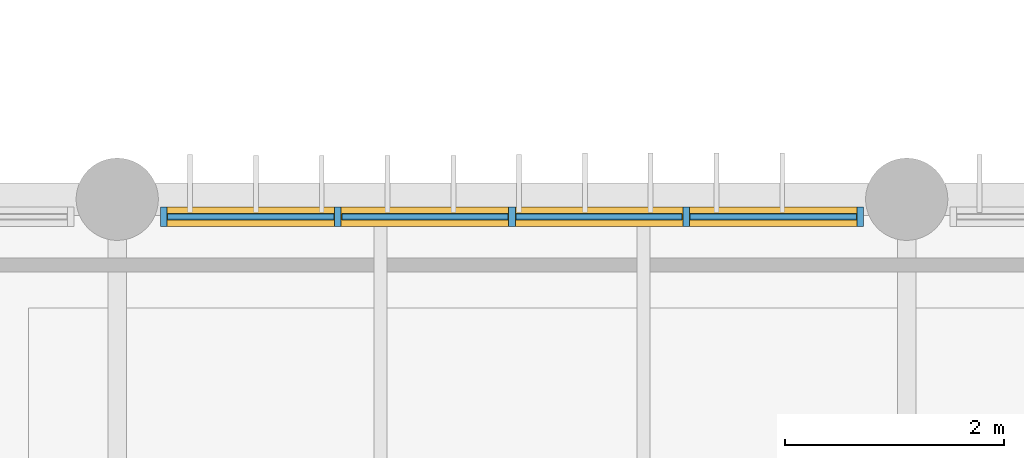
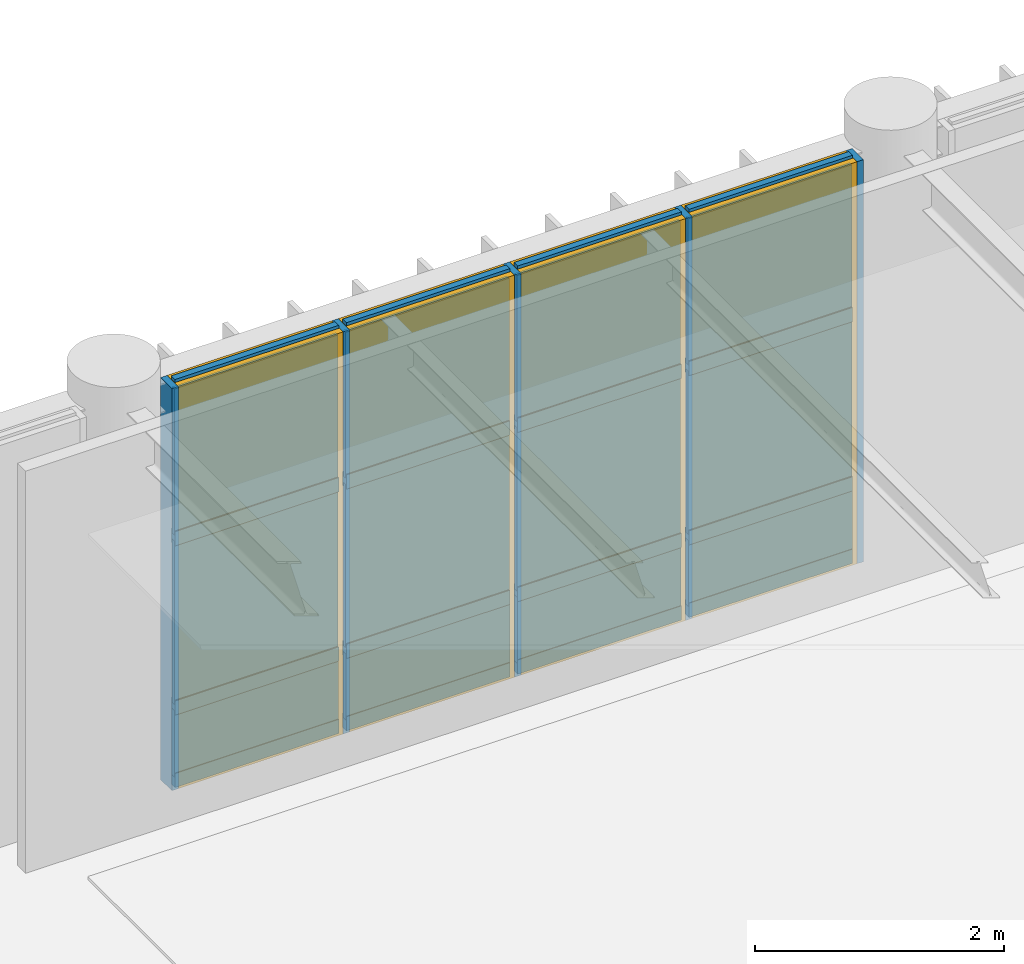
# One storey, part 64 of 122: 21 members, 12 plates, 1 curtain wall.
"""IFC4 building model written with IfcOpenShell, lengths in metres."""

from ifc_helpers import new_model, si_unit, direction, frame, frame_2d, origin, origin_2d, place, context, subcontext, project, spatial, rectangle, extrude, material, layer, layer_set, material_profile, profile_set, type_object, element, aggregate, save


model = new_model("IFC4")

# Units and contexts
model_context = context("Model", 3, precision=1e-05, world=origin(), true_north=direction((0.0, 1.0)))
body_context = subcontext(model_context, "Body", "Model", "MODEL_VIEW")
ifc_project = project(units=[si_unit("LENGTHUNIT", "METRE"), si_unit("AREAUNIT", "SQUARE_METRE"), si_unit("VOLUMEUNIT", "CUBIC_METRE"), si_unit("PLANEANGLEUNIT", "RADIAN"), si_unit("MASSUNIT", "GRAM", prefix="KILO")], contexts=[model_context])

# Member
ifc_material_1 = material(Name="Anodised Bronze Aluminium 6063-T6", Category="aluminium")
ifc_material_profile_1 = material_profile(ifc_material_1, rectangle(XDim=0.06005859375, YDim=0.179931640625, at=origin_2d()), Name="ALU MULLION 60x180")
ifc_profile_set_1 = profile_set([ifc_material_profile_1], Name="Anodised Bronze Aluminium 6063-T6")
member_type_1 = type_object("IfcMemberType", Name="Curtain-Wall Primary Mullion 60x180", PredefinedType="MULLION", material=ifc_profile_set_1)
site_placement = place(None, origin())
building_placement = place(site_placement, origin())
storey_placement = place(building_placement, frame((0.0, 0.0, 4.800048828125)))
member_1_placement = place(storey_placement, frame((43.625, 30.0400390625, 0.0), z_axis=(0.0, 0.0, 1.0), x_axis=(1.0, 0.0, 0.0)))
member_1 = element("IfcMember", 1, at=member_1_placement, type_object=member_type_1, Name="Mullion CWM-01 CW-V5-NRET-W-L01-B2-M01", PredefinedType="MULLION", context=body_context, shape_type="SweptSolid", body=[
    extrude(rectangle(XDim=0.06005859375, YDim=0.179931640625, at=origin_2d()), origin(), (0.0, 0.0, 1.0), 3.93994140625),
])

member_2_placement = place(storey_placement, frame((45.21240234375, 30.0400390625, 0.0), z_axis=(0.0, 0.0, 1.0), x_axis=(1.0, 0.0, 0.0)))
member_2 = element("IfcMember", 2, at=member_2_placement, type_object=member_type_1, Name="Mullion CWM-01 CW-V5-NRET-W-L01-B2-M02", PredefinedType="MULLION", context=body_context, shape_type="SweptSolid", body=[
    extrude(rectangle(XDim=0.06005859375, YDim=0.179931640625, at=origin_2d()), origin(), (0.0, 0.0, 1.0), 3.93994140625),
])

member_3_placement = place(storey_placement, frame((46.800048828125, 30.0400390625, 0.0), z_axis=(0.0, 0.0, 1.0), x_axis=(1.0, 0.0, 0.0)))
member_3 = element("IfcMember", 3, at=member_3_placement, type_object=member_type_1, Name="Mullion CWM-01 CW-V5-NRET-W-L01-B2-M03", PredefinedType="MULLION", context=body_context, shape_type="SweptSolid", body=[
    extrude(rectangle(XDim=0.06005859375, YDim=0.179931640625, at=origin_2d()), origin(), (0.0, 0.0, 1.0), 3.93994140625),
])

member_4_placement = place(storey_placement, frame((48.387451171875, 30.0400390625, 0.0), z_axis=(0.0, 0.0, 1.0), x_axis=(1.0, 0.0, 0.0)))
member_4 = element("IfcMember", 4, at=member_4_placement, type_object=member_type_1, Name="Mullion CWM-01 CW-V5-NRET-W-L01-B2-M04", PredefinedType="MULLION", context=body_context, shape_type="SweptSolid", body=[
    extrude(rectangle(XDim=0.06005859375, YDim=0.179931640625, at=origin_2d()), origin(), (0.0, 0.0, 1.0), 3.93994140625),
])

member_5_placement = place(storey_placement, frame((49.97509765625, 30.0400390625, 0.0), z_axis=(0.0, 0.0, 1.0), x_axis=(1.0, 0.0, 0.0)))
member_5 = element("IfcMember", 5, at=member_5_placement, type_object=member_type_1, Name="Mullion CWM-01 CW-V5-NRET-W-L01-B2-M05", PredefinedType="MULLION", context=body_context, shape_type="SweptSolid", body=[
    extrude(rectangle(XDim=0.06005859375, YDim=0.179931640625, at=origin_2d()), origin(), (0.0, 0.0, 1.0), 3.93994140625),
])

ifc_material_profile_2 = material_profile(ifc_material_1, rectangle(XDim=0.06005859375, YDim=0.139892578125, at=origin_2d()), Name="ALU TRANSOM 60x140")
ifc_profile_set_2 = profile_set([ifc_material_profile_2], Name="Anodised Bronze Aluminium 6063-T6")
member_type_2 = type_object("IfcMemberType", Name="Curtain-Wall Transom 60x140", PredefinedType="USERDEFINED", material=ifc_profile_set_2)
member_6_placement = place(storey_placement, frame((43.659912109375, 30.0400390625, 0.0400390625), z_axis=(1.0, 0.0, 0.0), x_axis=(0.0, 1.0, 0.0)))
member_6 = element("IfcMember", 6, at=member_6_placement, type_object=member_type_2, Name="Transom CWT-01 CW-V5-NRET-W-L01-B2-T01.1", ObjectType="TRANSOM", PredefinedType="USERDEFINED", context=body_context, shape_type="SweptSolid", body=[
    extrude(rectangle(XDim=0.06005859375, YDim=0.139892578125, at=origin_2d()), origin(), (0.0, 0.0, 1.0), 1.517578125),
])

member_7_placement = place(storey_placement, frame((43.659912109375, 30.0400390625, 0.75), z_axis=(1.0, 0.0, 0.0), x_axis=(0.0, 1.0, 0.0)))
member_7 = element("IfcMember", 7, at=member_7_placement, type_object=member_type_2, Name="Transom CWT-01 CW-V5-NRET-W-L01-B2-T01.2", ObjectType="TRANSOM", PredefinedType="USERDEFINED", context=body_context, shape_type="SweptSolid", body=[
    extrude(rectangle(XDim=0.06005859375, YDim=0.139892578125, at=origin_2d()), origin(), (0.0, 0.0, 1.0), 1.517578125),
])

member_8_placement = place(storey_placement, frame((43.659912109375, 30.0400390625, 2.40869140625), z_axis=(1.0, 0.0, 0.0), x_axis=(0.0, 1.0, 0.0)))
member_8 = element("IfcMember", 8, at=member_8_placement, type_object=member_type_2, Name="Transom CWT-01 CW-V5-NRET-W-L01-B2-T01.3", ObjectType="TRANSOM", PredefinedType="USERDEFINED", context=body_context, shape_type="SweptSolid", body=[
    extrude(rectangle(XDim=0.06005859375, YDim=0.139892578125, at=origin_2d()), origin(), (0.0, 0.0, 1.0), 1.517578125),
])

member_9_placement = place(storey_placement, frame((43.659912109375, 30.0400390625, 3.89990234375), z_axis=(1.0, 0.0, 0.0), x_axis=(0.0, 1.0, 0.0)))
member_9 = element("IfcMember", 9, at=member_9_placement, type_object=member_type_2, Name="Transom CWT-01 CW-V5-NRET-W-L01-B2-T01.4", ObjectType="TRANSOM", PredefinedType="USERDEFINED", context=body_context, shape_type="SweptSolid", body=[
    extrude(rectangle(XDim=0.06005859375, YDim=0.139892578125, at=origin_2d()), origin(), (0.0, 0.0, 1.0), 1.517578125),
])

member_10_placement = place(storey_placement, frame((45.24755859375, 30.0400390625, 0.0400390625), z_axis=(1.0, 0.0, 0.0), x_axis=(0.0, 1.0, 0.0)))
member_10 = element("IfcMember", 10, at=member_10_placement, type_object=member_type_2, Name="Transom CWT-01 CW-V5-NRET-W-L01-B2-T02.1", ObjectType="TRANSOM", PredefinedType="USERDEFINED", context=body_context, shape_type="SweptSolid", body=[
    extrude(rectangle(XDim=0.06005859375, YDim=0.139892578125, at=origin_2d()), origin(), (0.0, 0.0, 1.0), 1.517333984375),
])

member_11_placement = place(storey_placement, frame((45.24755859375, 30.0400390625, 0.75), z_axis=(1.0, 0.0, 0.0), x_axis=(0.0, 1.0, 0.0)))
member_11 = element("IfcMember", 11, at=member_11_placement, type_object=member_type_2, Name="Transom CWT-01 CW-V5-NRET-W-L01-B2-T02.2", ObjectType="TRANSOM", PredefinedType="USERDEFINED", context=body_context, shape_type="SweptSolid", body=[
    extrude(rectangle(XDim=0.06005859375, YDim=0.139892578125, at=origin_2d()), origin(), (0.0, 0.0, 1.0), 1.517333984375),
])

member_12_placement = place(storey_placement, frame((45.24755859375, 30.0400390625, 2.40869140625), z_axis=(1.0, 0.0, 0.0), x_axis=(0.0, 1.0, 0.0)))
member_12 = element("IfcMember", 12, at=member_12_placement, type_object=member_type_2, Name="Transom CWT-01 CW-V5-NRET-W-L01-B2-T02.3", ObjectType="TRANSOM", PredefinedType="USERDEFINED", context=body_context, shape_type="SweptSolid", body=[
    extrude(rectangle(XDim=0.06005859375, YDim=0.139892578125, at=origin_2d()), origin(), (0.0, 0.0, 1.0), 1.517333984375),
])

member_13_placement = place(storey_placement, frame((45.24755859375, 30.0400390625, 3.89990234375), z_axis=(1.0, 0.0, 0.0), x_axis=(0.0, 1.0, 0.0)))
member_13 = element("IfcMember", 13, at=member_13_placement, type_object=member_type_2, Name="Transom CWT-01 CW-V5-NRET-W-L01-B2-T02.4", ObjectType="TRANSOM", PredefinedType="USERDEFINED", context=body_context, shape_type="SweptSolid", body=[
    extrude(rectangle(XDim=0.06005859375, YDim=0.139892578125, at=origin_2d()), origin(), (0.0, 0.0, 1.0), 1.517333984375),
])

member_14_placement = place(storey_placement, frame((46.8349609375, 30.0400390625, 0.0400390625), z_axis=(1.0, 0.0, 0.0), x_axis=(0.0, 1.0, 0.0)))
member_14 = element("IfcMember", 14, at=member_14_placement, type_object=member_type_2, Name="Transom CWT-01 CW-V5-NRET-W-L01-B2-T03.1", ObjectType="TRANSOM", PredefinedType="USERDEFINED", context=body_context, shape_type="SweptSolid", body=[
    extrude(rectangle(XDim=0.06005859375, YDim=0.139892578125, at=origin_2d()), origin(), (0.0, 0.0, 1.0), 1.517578125),
])

member_15_placement = place(storey_placement, frame((46.8349609375, 30.0400390625, 0.75), z_axis=(1.0, 0.0, 0.0), x_axis=(0.0, 1.0, 0.0)))
member_15 = element("IfcMember", 15, at=member_15_placement, type_object=member_type_2, Name="Transom CWT-01 CW-V5-NRET-W-L01-B2-T03.2", ObjectType="TRANSOM", PredefinedType="USERDEFINED", context=body_context, shape_type="SweptSolid", body=[
    extrude(rectangle(XDim=0.06005859375, YDim=0.139892578125, at=origin_2d()), origin(), (0.0, 0.0, 1.0), 1.517578125),
])

member_16_placement = place(storey_placement, frame((46.8349609375, 30.0400390625, 2.40869140625), z_axis=(1.0, 0.0, 0.0), x_axis=(0.0, 1.0, 0.0)))
member_16 = element("IfcMember", 16, at=member_16_placement, type_object=member_type_2, Name="Transom CWT-01 CW-V5-NRET-W-L01-B2-T03.3", ObjectType="TRANSOM", PredefinedType="USERDEFINED", context=body_context, shape_type="SweptSolid", body=[
    extrude(rectangle(XDim=0.06005859375, YDim=0.139892578125, at=origin_2d()), origin(), (0.0, 0.0, 1.0), 1.517578125),
])

member_17_placement = place(storey_placement, frame((46.8349609375, 30.0400390625, 3.89990234375), z_axis=(1.0, 0.0, 0.0), x_axis=(0.0, 1.0, 0.0)))
member_17 = element("IfcMember", 17, at=member_17_placement, type_object=member_type_2, Name="Transom CWT-01 CW-V5-NRET-W-L01-B2-T03.4", ObjectType="TRANSOM", PredefinedType="USERDEFINED", context=body_context, shape_type="SweptSolid", body=[
    extrude(rectangle(XDim=0.06005859375, YDim=0.139892578125, at=origin_2d()), origin(), (0.0, 0.0, 1.0), 1.517578125),
])

member_18_placement = place(storey_placement, frame((48.422607421875, 30.0400390625, 0.0400390625), z_axis=(1.0, 0.0, 0.0), x_axis=(0.0, 1.0, 0.0)))
member_18 = element("IfcMember", 18, at=member_18_placement, type_object=member_type_2, Name="Transom CWT-01 CW-V5-NRET-W-L01-B2-T04.1", ObjectType="TRANSOM", PredefinedType="USERDEFINED", context=body_context, shape_type="SweptSolid", body=[
    extrude(rectangle(XDim=0.06005859375, YDim=0.139892578125, at=origin_2d()), origin(), (0.0, 0.0, 1.0), 1.517333984375),
])

member_19_placement = place(storey_placement, frame((48.422607421875, 30.0400390625, 0.75), z_axis=(1.0, 0.0, 0.0), x_axis=(0.0, 1.0, 0.0)))
member_19 = element("IfcMember", 19, at=member_19_placement, type_object=member_type_2, Name="Transom CWT-01 CW-V5-NRET-W-L01-B2-T04.2", ObjectType="TRANSOM", PredefinedType="USERDEFINED", context=body_context, shape_type="SweptSolid", body=[
    extrude(rectangle(XDim=0.06005859375, YDim=0.139892578125, at=origin_2d()), origin(), (0.0, 0.0, 1.0), 1.517333984375),
])

member_20_placement = place(storey_placement, frame((48.422607421875, 30.0400390625, 2.40869140625), z_axis=(1.0, 0.0, 0.0), x_axis=(0.0, 1.0, 0.0)))
member_20 = element("IfcMember", 20, at=member_20_placement, type_object=member_type_2, Name="Transom CWT-01 CW-V5-NRET-W-L01-B2-T04.3", ObjectType="TRANSOM", PredefinedType="USERDEFINED", context=body_context, shape_type="SweptSolid", body=[
    extrude(rectangle(XDim=0.06005859375, YDim=0.139892578125, at=origin_2d()), origin(), (0.0, 0.0, 1.0), 1.517333984375),
])

member_21_placement = place(storey_placement, frame((48.422607421875, 30.0400390625, 3.89990234375), z_axis=(1.0, 0.0, 0.0), x_axis=(0.0, 1.0, 0.0)))
member_21 = element("IfcMember", 21, at=member_21_placement, type_object=member_type_2, Name="Transom CWT-01 CW-V5-NRET-W-L01-B2-T04.4", ObjectType="TRANSOM", PredefinedType="USERDEFINED", context=body_context, shape_type="SweptSolid", body=[
    extrude(rectangle(XDim=0.06005859375, YDim=0.139892578125, at=origin_2d()), origin(), (0.0, 0.0, 1.0), 1.517333984375),
])

# Plate
ifc_material_2 = material(Name="Insulated Bronze Aluminium Spandrel Panel", Category="aluminium")
ifc_layer_1 = layer(ifc_material_2, 0.050048828125, Name="Insulated Bronze Aluminium Spandrel Panel")
ifc_layer_set_1 = layer_set([ifc_layer_1], Name="Insulated Bronze Aluminium Spandrel Panel")
plate_type_1 = type_object("IfcPlateType", Name="Insulated Anodised Aluminium Spandrel Cassette 50", PredefinedType="CURTAIN_PANEL", material=ifc_layer_set_1)
plate_1_placement = place(storey_placement, frame((44.418701171875, 30.0400390625, 0.070068359375), z_axis=(0.0, 0.0, 1.0), x_axis=(1.0, 0.0, 0.0)))
plate_1 = element("IfcPlate", 22, at=plate_1_placement, type_object=plate_type_1, Name="Curtain Panel CWP-03 CW-V5-NRET-W-L01-B2-P01.1", PredefinedType="CURTAIN_PANEL", context=body_context, shape_type="SweptSolid", body=[
    extrude(rectangle(XDim=1.517578125, YDim=0.050048828125, at=origin_2d()), origin(), (0.0, 0.0, 1.0), 0.64990234375),
])

plate_2_placement = place(storey_placement, frame((46.00634765625, 30.0400390625, 0.070068359375), z_axis=(0.0, 0.0, 1.0), x_axis=(1.0, 0.0, 0.0)))
plate_2 = element("IfcPlate", 23, at=plate_2_placement, type_object=plate_type_1, Name="Curtain Panel CWP-03 CW-V5-NRET-W-L01-B2-P02.1", PredefinedType="CURTAIN_PANEL", context=body_context, shape_type="SweptSolid", body=[
    extrude(rectangle(XDim=1.517578125, YDim=0.050048828125, at=origin_2d()), origin(), (0.0, 0.0, 1.0), 0.64990234375),
])

plate_3_placement = place(storey_placement, frame((47.59375, 30.0400390625, 0.070068359375), z_axis=(0.0, 0.0, 1.0), x_axis=(1.0, 0.0, 0.0)))
plate_3 = element("IfcPlate", 24, at=plate_3_placement, type_object=plate_type_1, Name="Curtain Panel CWP-03 CW-V5-NRET-W-L01-B2-P03.1", PredefinedType="CURTAIN_PANEL", context=body_context, shape_type="SweptSolid", body=[
    extrude(rectangle(XDim=1.517578125, YDim=0.050048828125, at=origin_2d()), origin(), (0.0, 0.0, 1.0), 0.64990234375),
])

plate_4_placement = place(storey_placement, frame((49.18115234375, 30.0400390625, 0.070068359375), z_axis=(0.0, 0.0, 1.0), x_axis=(1.0, 0.0, 0.0)))
plate_4 = element("IfcPlate", 25, at=plate_4_placement, type_object=plate_type_1, Name="Curtain Panel CWP-03 CW-V5-NRET-W-L01-B2-P04.1", PredefinedType="CURTAIN_PANEL", context=body_context, shape_type="SweptSolid", body=[
    extrude(rectangle(XDim=1.517578125, YDim=0.050048828125, at=origin_2d()), origin(), (0.0, 0.0, 1.0), 0.64990234375),
])

ifc_material_3 = material(Name="Solar-Control Tempered Double Glazing", Category="glass")
ifc_layer_2 = layer(ifc_material_3, 0.0380859375, Name="Solar-Control Tempered Double Glazing")
ifc_layer_set_2 = layer_set([ifc_layer_2], Name="Solar-Control Tempered Double Glazing")
plate_type_2 = type_object("IfcPlateType", Name="Solar-Control Vision Glazing Unit 38", PredefinedType="CURTAIN_PANEL", material=ifc_layer_set_2)
plate_5_placement = place(storey_placement, frame((44.418701171875, 30.0400390625, 0.77978515625), z_axis=(0.0, 0.0, 1.0), x_axis=(1.0, 0.0, 0.0)))
plate_5 = element("IfcPlate", 26, at=plate_5_placement, type_object=plate_type_2, Name="Curtain Panel CWP-02 CW-V5-NRET-W-L01-B2-P01.2", PredefinedType="CURTAIN_PANEL", context=body_context, shape_type="SweptSolid", body=[
    extrude(rectangle(XDim=1.517578125, YDim=0.0380859375, at=origin_2d()), origin(), (0.0, 0.0, 1.0), 1.598876953125),
])

plate_6_placement = place(storey_placement, frame((44.418701171875, 30.0400390625, 2.438720703125), z_axis=(0.0, 0.0, 1.0), x_axis=(1.0, 0.0, 0.0)))
plate_6 = element("IfcPlate", 27, at=plate_6_placement, type_object=plate_type_2, Name="Curtain Panel CWP-02 CW-V5-NRET-W-L01-B2-P01.3", PredefinedType="CURTAIN_PANEL", context=body_context, shape_type="SweptSolid", body=[
    extrude(rectangle(XDim=1.517578125, YDim=0.0380859375, at=origin_2d()), origin(), (0.0, 0.0, 1.0), 1.43115234375),
])

plate_7_placement = place(storey_placement, frame((46.00634765625, 30.0400390625, 0.77978515625), z_axis=(0.0, 0.0, 1.0), x_axis=(1.0, 0.0, 0.0)))
plate_7 = element("IfcPlate", 28, at=plate_7_placement, type_object=plate_type_2, Name="Curtain Panel CWP-02 CW-V5-NRET-W-L01-B2-P02.2", PredefinedType="CURTAIN_PANEL", context=body_context, shape_type="SweptSolid", body=[
    extrude(rectangle(XDim=1.517578125, YDim=0.0380859375, at=origin_2d()), origin(), (0.0, 0.0, 1.0), 1.598876953125),
])

plate_8_placement = place(storey_placement, frame((46.00634765625, 30.0400390625, 2.438720703125), z_axis=(0.0, 0.0, 1.0), x_axis=(1.0, 0.0, 0.0)))
plate_8 = element("IfcPlate", 29, at=plate_8_placement, type_object=plate_type_2, Name="Curtain Panel CWP-02 CW-V5-NRET-W-L01-B2-P02.3", PredefinedType="CURTAIN_PANEL", context=body_context, shape_type="SweptSolid", body=[
    extrude(rectangle(XDim=1.517578125, YDim=0.0380859375, at=origin_2d()), origin(), (0.0, 0.0, 1.0), 1.43115234375),
])

plate_9_placement = place(storey_placement, frame((47.59375, 30.0400390625, 0.77978515625), z_axis=(0.0, 0.0, 1.0), x_axis=(1.0, 0.0, 0.0)))
plate_9 = element("IfcPlate", 30, at=plate_9_placement, type_object=plate_type_2, Name="Curtain Panel CWP-02 CW-V5-NRET-W-L01-B2-P03.2", PredefinedType="CURTAIN_PANEL", context=body_context, shape_type="SweptSolid", body=[
    extrude(rectangle(XDim=1.517578125, YDim=0.0380859375, at=origin_2d()), origin(), (0.0, 0.0, 1.0), 1.598876953125),
])

plate_10_placement = place(storey_placement, frame((47.59375, 30.0400390625, 2.438720703125), z_axis=(0.0, 0.0, 1.0), x_axis=(1.0, 0.0, 0.0)))
plate_10 = element("IfcPlate", 31, at=plate_10_placement, type_object=plate_type_2, Name="Curtain Panel CWP-02 CW-V5-NRET-W-L01-B2-P03.3", PredefinedType="CURTAIN_PANEL", context=body_context, shape_type="SweptSolid", body=[
    extrude(rectangle(XDim=1.517578125, YDim=0.0380859375, at=origin_2d()), origin(), (0.0, 0.0, 1.0), 1.43115234375),
])

plate_11_placement = place(storey_placement, frame((49.18115234375, 30.0400390625, 0.77978515625), z_axis=(0.0, 0.0, 1.0), x_axis=(1.0, 0.0, 0.0)))
plate_11 = element("IfcPlate", 32, at=plate_11_placement, type_object=plate_type_2, Name="Curtain Panel CWP-02 CW-V5-NRET-W-L01-B2-P04.2", PredefinedType="CURTAIN_PANEL", context=body_context, shape_type="SweptSolid", body=[
    extrude(rectangle(XDim=1.517578125, YDim=0.0380859375, at=origin_2d()), origin(), (0.0, 0.0, 1.0), 1.598876953125),
])

plate_12_placement = place(storey_placement, frame((49.18115234375, 30.0400390625, 2.438720703125), z_axis=(0.0, 0.0, 1.0), x_axis=(1.0, 0.0, 0.0)))
plate_12 = element("IfcPlate", 33, at=plate_12_placement, type_object=plate_type_2, Name="Curtain Panel CWP-02 CW-V5-NRET-W-L01-B2-P04.3", PredefinedType="CURTAIN_PANEL", context=body_context, shape_type="SweptSolid", body=[
    extrude(rectangle(XDim=1.517578125, YDim=0.0380859375, at=origin_2d()), origin(), (0.0, 0.0, 1.0), 1.43115234375),
])

# Site, building, storey
site = spatial("IfcSite", under=ifc_project, at=site_placement, CompositionType="ELEMENT")
building = spatial("IfcBuilding", under=site, at=building_placement, Name="Tazoul Stagehouse", CompositionType="ELEMENT")
storey = spatial("IfcBuildingStorey", under=building, at=storey_placement, Name="L01", CompositionType="ELEMENT", Elevation=4.800048828125)

# Curtain wall
curtain_wall_type = type_object("IfcCurtainWallType", Name="Foyer Clear Solar-Control Curtain Wall", PredefinedType="NOTDEFINED", material=ifc_material_1)
curtain_wall_placement = place(storey_placement, frame((43.625, 30.0400390625, 0.0), z_axis=(0.0, 0.0, 1.0), x_axis=(1.0, 0.0, 0.0)))
curtain_wall = element("IfcCurtainWall", 34, at=curtain_wall_placement, inside=storey, type_object=curtain_wall_type, Name="L01 Curtain Wall CW-02 (CW-V5-NRET-W-L01-B2)", PredefinedType="NOTDEFINED", context=body_context, shape_type="SweptSolid", body=[
    extrude(rectangle(XDim=6.35009765625, YDim=0.179931640625, at=frame_2d((3.175048828125, 0.0))), origin(), (0.0, 0.0, 1.0), 3.93994140625),
])

aggregate(curtain_wall, [member_1, member_2, member_3, member_4, member_5, member_6, member_7, member_8, member_9, plate_1, plate_5, plate_6, member_10, member_11, member_12, member_13, plate_2, plate_7, plate_8, member_14, member_15, member_16, member_17, plate_3, plate_9, plate_10, member_18, member_19, member_20, member_21, plate_4, plate_11, plate_12])

save(model, "model.ifc")
